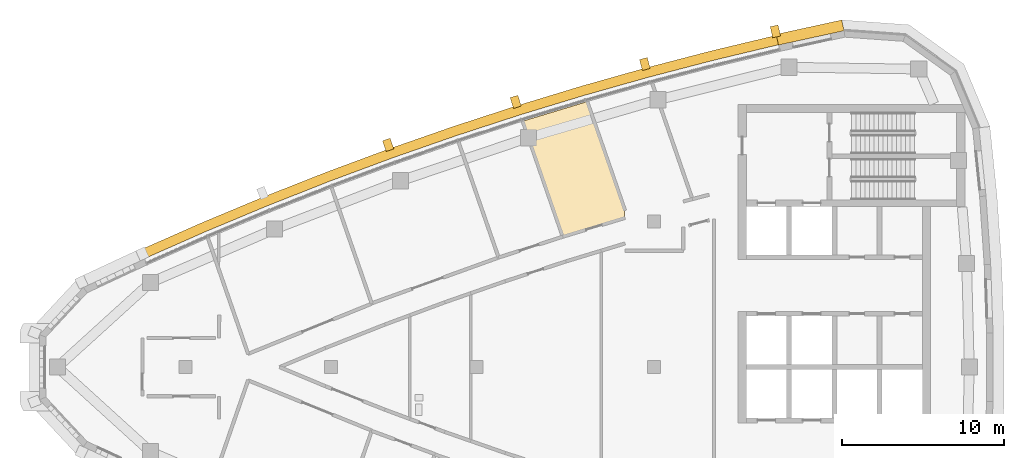
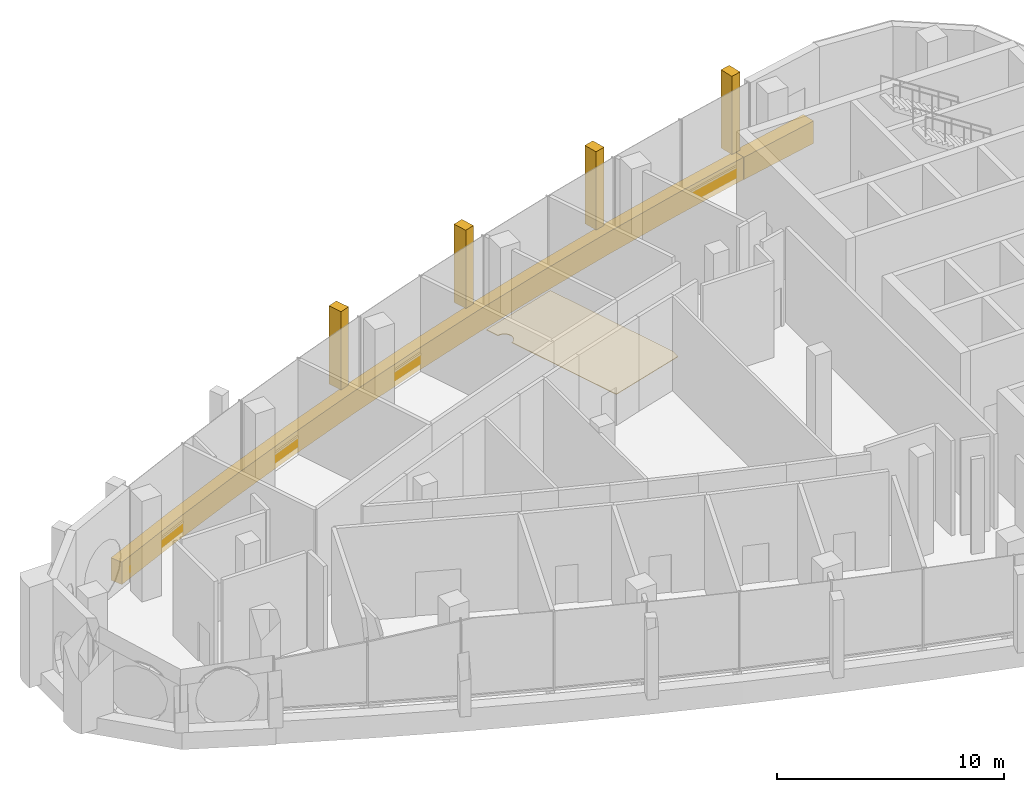
# One storey, part 13 of 15: 7 coverings.
"""IFC4 building model written with IfcOpenShell, lengths in metres."""

from ifc_helpers import new_model, si_unit, direction, frame, frame_2d, origin, place, context, subcontext, project, spatial, polyline, rectangle, outline, extrude, material, layer, layer_set, type_object, element, save


model = new_model("IFC4")

# Units and contexts
model_context = context("Model", 3, precision=1e-05, world=origin(), true_north=direction((0.0, 1.0)))
body_context = subcontext(model_context, "Body", "Model", "MODEL_VIEW")
ifc_project = project(units=[si_unit("LENGTHUNIT", "METRE"), si_unit("AREAUNIT", "SQUARE_METRE"), si_unit("VOLUMEUNIT", "CUBIC_METRE"), si_unit("PLANEANGLEUNIT", "RADIAN"), si_unit("MASSUNIT", "GRAM", prefix="KILO")], contexts=[model_context])

# Site, building, storey
site_placement = place(None, origin())
site = spatial("IfcSite", under=ifc_project, at=site_placement, CompositionType="ELEMENT")
building_placement = place(site_placement, origin())
building = spatial("IfcBuilding", under=site, at=building_placement, Name="Ostrand Prow Hotel Tower", CompositionType="ELEMENT")
storey_placement = place(building_placement, frame((0.0, 0.0, 313.199951171875)))
storey = spatial("IfcBuildingStorey", under=building, at=storey_placement, Name="C2", CompositionType="ELEMENT", Elevation=313.199951171875)

# Coverings
ifc_material_1 = material(Name="Bronze anodised aluminium cladding", Category="aluminium")
ifc_layer_1 = layer(ifc_material_1, 0.60009765625)
ifc_layer_set_1 = layer_set([ifc_layer_1], Name="Bronze anodised aluminium cladding")
covering_type_1 = type_object("IfcCoveringType", Name="Bronze spandrel band 1200x600", PredefinedType="CLADDING", material=ifc_layer_set_1)
covering_1_placement = place(storey_placement, frame((0.0, 0.0, -0.300048828125)))
element("IfcCovering", 1, at=covering_1_placement, inside=storey, type_object=covering_type_1, Name="Spandrel band N1", PredefinedType="CLADDING", context=body_context, shape_type="SweptSolid", body=[
    extrude(outline(polyline([(52.55615234375, 20.52880859375), (48.51220703125, 19.56103515625), (44.48828125, 18.51220703125), (40.486328125, 17.382568359375), (36.508056640625, 16.172607421875), (32.5546875, 14.88330078125), (28.62841796875, 13.514404296875), (24.72998046875, 12.067138671875), (20.86181640625, 10.541748046875), (17.02490234375, 8.938720703125), (13.220947265625, 7.25927734375), (13.468994140625, 6.712890625), (17.26171875, 8.3876953125), (21.08740234375, 9.98583984375), (24.944580078125, 11.5068359375), (28.83154296875, 12.949951171875), (32.74658203125, 14.314697265625), (36.6884765625, 15.6005859375), (40.6552734375, 16.806884765625), (44.6455078125, 17.93310546875), (48.65771484375, 18.97900390625), (52.68994140625, 19.94384765625), (52.55615234375, 20.52880859375)])), origin(), (0.0, 0.0, 1.0), 1.2001953125),
])
covering_2_placement = place(storey_placement, frame((0.0, 0.0, -0.300048828125)))
element("IfcCovering", 2, at=covering_2_placement, inside=storey, type_object=covering_type_1, Name="Spandrel band back 5", PredefinedType="CLADDING", context=body_context, shape_type="SweptSolid", body=[
    extrude(outline(polyline([(56.606201171875, 21.476318359375), (52.542236328125, 20.58984375), (52.69384765625, 19.927001953125), (56.744384765625, 20.810546875), (56.606201171875, 21.476318359375)])), origin(), (0.0, 0.0, 1.0), 1.2001953125),
])
ifc_material_2 = material(Name="Limestone cladding", Category="masonry")
ifc_layer_2 = layer(ifc_material_2, 0.5)
ifc_layer_set_2 = layer_set([ifc_layer_2], Name="Limestone cladding")
covering_type_2 = type_object("IfcCoveringType", Name="Precast stone fin 500x600", PredefinedType="CLADDING", material=ifc_layer_set_2)
covering_3_placement = place(storey_placement, frame((52.578369140625, 20.431396484375, 0.900146484375), z_axis=(0.0, 0.0, 1.0), x_axis=(-0.222872153431, 0.974847682064, 0.0)))
element("IfcCovering", 3, at=covering_3_placement, inside=storey, type_object=covering_type_2, Name="Stone fin N 1", PredefinedType="CLADDING", context=body_context, shape_type="SweptSolid", body=[
    extrude(rectangle(XDim=0.699951171875, YDim=0.5, at=frame_2d((0.35009765625, 0.0))), origin(), (0.0, 0.0, 1.0), 4.199951171875),
])
for number, where, z_axis, x_axis, name in (
    (4, (44.514404296875, 18.41552734375, 0.900146484375), (0.0, 0.0, 1.0), (-0.261848568536, 0.965108971648, 0.0), "Stone fin N 3"),
    (5, (36.5380859375, 16.077392578125, 0.900146484375), (0.0, 0.0, 1.0), (-0.30059725976, 0.953751166408, 0.0), "Stone fin N 5"),
):
    element("IfcCovering", number, at=place(storey_placement, frame(where, z_axis=z_axis, x_axis=x_axis)), inside=storey, type_object=covering_type_2, Name=name, PredefinedType="CLADDING", context=body_context, shape_type="SweptSolid", body=[
        extrude(rectangle(XDim=0.7001953125, YDim=0.5, at=frame_2d((0.35009765625, 0.0))), origin(), (0.0, 0.0, 1.0), 4.199951171875),
    ])
covering_4_placement = place(storey_placement, frame((28.662109375, 13.42041015625, 0.900146484375), z_axis=(0.0, 0.0, 1.0), x_axis=(-0.338633021138, 0.940918528352, 0.0)))
element("IfcCovering", 6, at=covering_4_placement, inside=storey, type_object=covering_type_2, Name="Stone fin N 7", PredefinedType="CLADDING", context=body_context, shape_type="SweptSolid", body=[
    extrude(rectangle(XDim=0.699951171875, YDim=0.5, at=frame_2d((0.35009765625, 0.0))), origin(), (0.0, 0.0, 1.0), 4.199951171875),
])
ifc_material_3 = material(Name="Polished limestone", Category="masonry")
ifc_layer_3 = layer(ifc_material_3, 0.030029296875)
ifc_layer_set_3 = layer_set([ifc_layer_3], Name="Polished limestone")
covering_type_3 = type_object("IfcCoveringType", Name="Stone floor finish 30 mm", PredefinedType="FLOORING", material=ifc_layer_set_3)
covering_5_placement = place(storey_placement, origin())
element("IfcCovering", 7, at=covering_5_placement, inside=storey, type_object=covering_type_3, Name="Floor finish Bar", PredefinedType="FLOORING", context=body_context, shape_type="SweptSolid", body=[
    extrude(outline(polyline([(43.175048828125, 9.23095703125), (43.175048828125, 9.693115234375), (40.8408203125, 16.42236328125), (36.891357421875, 15.223388671875), (37.1142578125, 14.580810546875), (37.143310546875, 14.587890625), (37.18212890625, 14.59375), (37.22119140625, 14.595703125), (37.260498046875, 14.59375), (37.29931640625, 14.587890625), (37.33740234375, 14.57861328125), (37.37451171875, 14.565185546875), (37.409912109375, 14.548583984375), (37.443603515625, 14.5283203125), (37.47509765625, 14.5048828125), (37.504150390625, 14.478515625), (37.530517578125, 14.449462890625), (37.553955078125, 14.41796875), (37.57421875, 14.38427734375), (37.5908203125, 14.348876953125), (37.60400390625, 14.311767578125), (37.613525390625, 14.273681640625), (37.619384765625, 14.23486328125), (37.621337890625, 14.19580078125), (37.619384765625, 14.156494140625), (37.613525390625, 14.11767578125), (37.60400390625, 14.07958984375), (37.5908203125, 14.04248046875), (37.57421875, 14.007080078125), (37.553955078125, 13.973388671875), (37.530517578125, 13.94189453125), (37.504150390625, 13.912841796875), (37.47509765625, 13.886474609375), (37.443603515625, 13.863037109375), (37.409912109375, 13.843017578125), (37.375732421875, 13.826904296875), (39.369384765625, 8.07958984375), (43.175048828125, 9.23095703125)])), origin(), (0.0, 0.0, 1.0), 0.030029296875),
])

save(model, "model.ifc")
